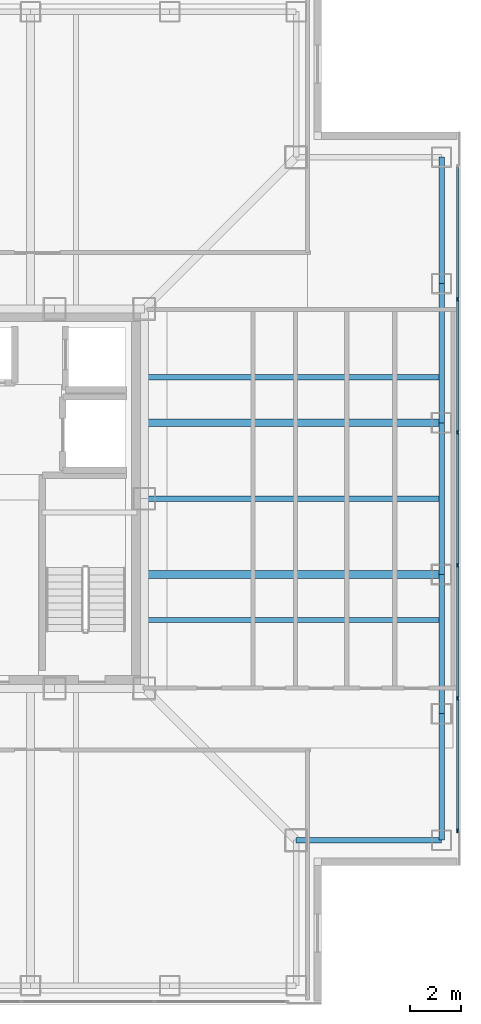
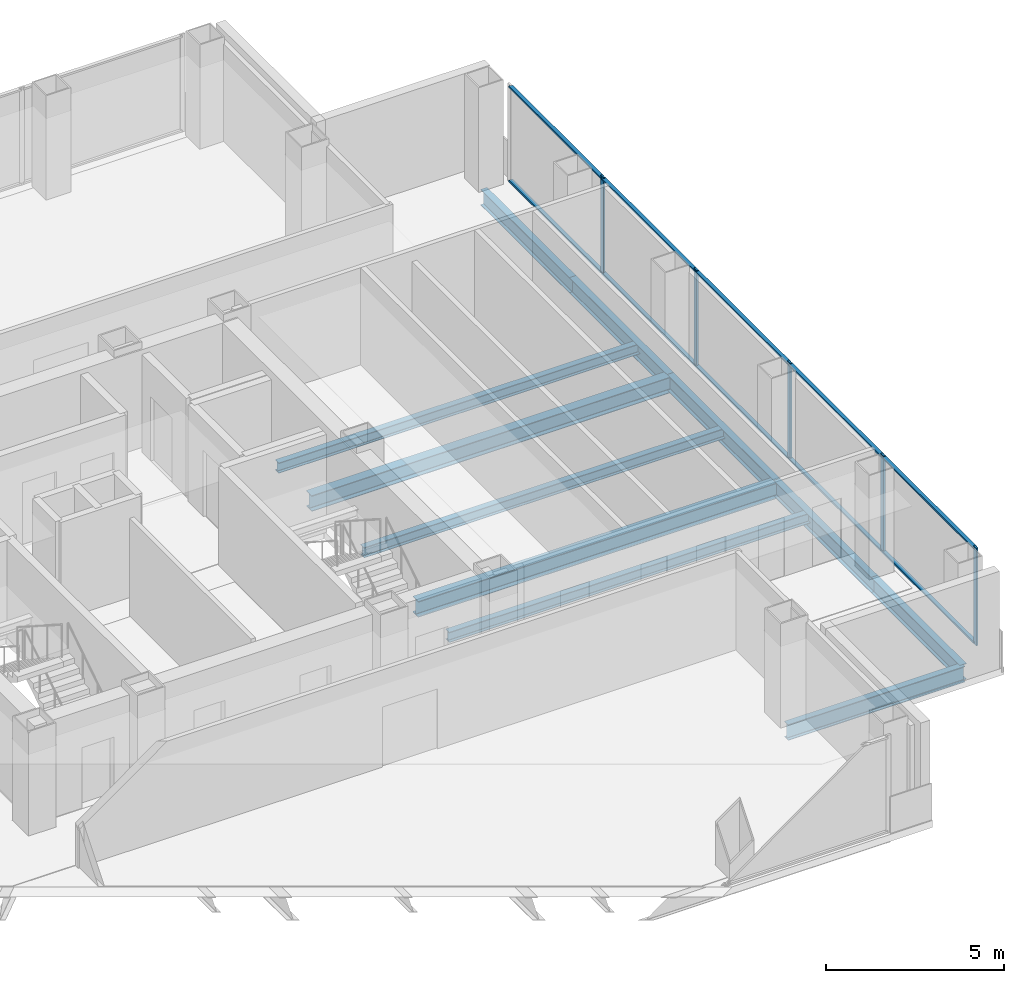
# One storey, part 6 of 17: 15 members, 11 beams, 1 element without a shape of its own.
"""IFC4 building model written with IfcOpenShell, lengths in metres."""

from ifc_helpers import new_model, si_unit, direction, frame, origin, origin_2d, place, context, subcontext, project, spatial, rectangle, i_section, extrude, material, layer, layer_set, material_profile, profile_set, type_object, element, aggregate, save


model = new_model("IFC4")

# Units and contexts
model_context = context("Model", 3, precision=1e-05, world=origin(), true_north=direction((0.0, 1.0)))
body_context = subcontext(model_context, "Body", "Model", "MODEL_VIEW")
ifc_project = project(units=[si_unit("LENGTHUNIT", "METRE"), si_unit("AREAUNIT", "SQUARE_METRE"), si_unit("VOLUMEUNIT", "CUBIC_METRE"), si_unit("PLANEANGLEUNIT", "RADIAN"), si_unit("MASSUNIT", "GRAM", prefix="KILO")], contexts=[model_context])

# Site, building, storey
site_placement = place(None, origin())
site = spatial("IfcSite", under=ifc_project, at=site_placement, CompositionType="ELEMENT")
building_placement = place(site_placement, origin())
building = spatial("IfcBuilding", under=site, at=building_placement, Name="Trevonay Congress Spire", CompositionType="ELEMENT")
storey_placement = place(building_placement, frame((0.0, 0.0, 209.39990234375)))
storey = spatial("IfcBuildingStorey", under=building, at=storey_placement, Name="L54", CompositionType="ELEMENT", Elevation=209.39990234375)

# Beams
ifc_material_1 = material(Name="Steel ASTM A572 Grade 50", Category="steel")
ifc_material_profile_1 = material_profile(ifc_material_1, i_section(OverallWidth=0.31201171875, OverallDepth=0.54296875, WebThickness=0.0126953125, FlangeThickness=0.020263671875, FilletRadius=0.014892578125, at=origin_2d()), Name="W530x150")
ifc_profile_set_1 = profile_set([ifc_material_profile_1], Name="Steel ASTM A572 Grade 50")
beam_type_1 = type_object("IfcBeamType", Name="BM-GIRD-W530X150", PredefinedType="BEAM", material=ifc_profile_set_1)
for number, where, z_axis, x_axis, name in (
    (1, (7.5, -3.0, -0.511474609375), (1.0, 0.0, 0.0), (0.0, 1.0, 0.0), "L54 structural beam BM-L54-GE-M"),
    (2, (7.5, 3.0, -0.511474609375), (1.0, 0.0, 0.0), (0.0, 1.0, 0.0), "L54 structural beam BM-L54-GE-P"),
):
    element("IfcBeam", number, at=place(storey_placement, frame(where, z_axis=z_axis, x_axis=x_axis)), inside=storey, type_object=beam_type_1, Name=name, PredefinedType="BEAM", context=body_context, shape_type="SweptSolid", body=[
        extrude(i_section(OverallWidth=0.31201171875, OverallDepth=0.54296875, WebThickness=0.0126953125, FlangeThickness=0.020263671875, FilletRadius=0.014892578125, at=origin_2d()), origin(), (0.0, 0.0, 1.0), 11.75),
    ])
ifc_material_profile_2 = material_profile(ifc_material_1, i_section(OverallWidth=0.2119140625, OverallDepth=0.5439453125, WebThickness=0.01318359375, FlangeThickness=0.021240234375, FilletRadius=0.014892578125, at=origin_2d()), Name="W530x123")
ifc_profile_set_2 = profile_set([ifc_material_profile_2], Name="Steel ASTM A572 Grade 50")
beam_type_2 = type_object("IfcBeamType", Name="BM-RING-W530X123", PredefinedType="BEAM", material=ifc_profile_set_2)
beam_1_placement = place(storey_placement, frame((19.25, -13.5, -0.511962890625), z_axis=(0.0, 1.0, 0.0), x_axis=(-1.0, 0.0, 0.0)))
element("IfcBeam", 3, at=beam_1_placement, inside=storey, type_object=beam_type_2, Name="L54 structural beam BM-L54-PE1", PredefinedType="BEAM", context=body_context, shape_type="SweptSolid", body=[
    extrude(i_section(OverallWidth=0.2119140625, OverallDepth=0.5439453125, WebThickness=0.01318359375, FlangeThickness=0.021240234375, FilletRadius=0.014892578125, at=origin_2d()), origin(), (0.0, 0.0, 1.0), 5.0),
])
beam_2_placement = place(storey_placement, frame((19.25, -8.5, -0.511962890625), z_axis=(0.0, 1.0, 0.0), x_axis=(-1.0, 0.0, 0.0)))
element("IfcBeam", 4, at=beam_2_placement, inside=storey, type_object=beam_type_2, Name="L54 structural beam BM-L54-PE2", PredefinedType="BEAM", context=body_context, shape_type="SweptSolid", body=[
    extrude(i_section(OverallWidth=0.2119140625, OverallDepth=0.5439453125, WebThickness=0.01318359375, FlangeThickness=0.021240234375, FilletRadius=0.014892578125, at=origin_2d()), origin(), (0.0, 0.0, 1.0), 5.5),
])
beam_3_placement = place(storey_placement, frame((19.25, -3.0, -0.511962890625), z_axis=(0.0, 1.0, 0.0), x_axis=(-1.0, 0.0, 0.0)))
element("IfcBeam", 5, at=beam_3_placement, inside=storey, type_object=beam_type_2, Name="L54 structural beam BM-L54-PE3", PredefinedType="BEAM", context=body_context, shape_type="SweptSolid", body=[
    extrude(i_section(OverallWidth=0.2119140625, OverallDepth=0.5439453125, WebThickness=0.01318359375, FlangeThickness=0.021240234375, FilletRadius=0.014892578125, at=origin_2d()), origin(), (0.0, 0.0, 1.0), 6.0),
])
beam_4_placement = place(storey_placement, frame((19.25, 3.0, -0.511962890625), z_axis=(0.0, 1.0, 0.0), x_axis=(-1.0, 0.0, 0.0)))
element("IfcBeam", 6, at=beam_4_placement, inside=storey, type_object=beam_type_2, Name="L54 structural beam BM-L54-PE4", PredefinedType="BEAM", context=body_context, shape_type="SweptSolid", body=[
    extrude(i_section(OverallWidth=0.2119140625, OverallDepth=0.5439453125, WebThickness=0.01318359375, FlangeThickness=0.021240234375, FilletRadius=0.014892578125, at=origin_2d()), origin(), (0.0, 0.0, 1.0), 5.5),
])
beam_5_placement = place(storey_placement, frame((19.25, 8.5, -0.511962890625), z_axis=(0.0, 1.0, 0.0), x_axis=(-1.0, 0.0, 0.0)))
element("IfcBeam", 7, at=beam_5_placement, inside=storey, type_object=beam_type_2, Name="L54 structural beam BM-L54-PE5", PredefinedType="BEAM", context=body_context, shape_type="SweptSolid", body=[
    extrude(i_section(OverallWidth=0.2119140625, OverallDepth=0.5439453125, WebThickness=0.01318359375, FlangeThickness=0.021240234375, FilletRadius=0.014892578125, at=origin_2d()), origin(), (0.0, 0.0, 1.0), 5.0),
])
beam_6_placement = place(storey_placement, frame((19.25, -13.5, -0.511962890625), z_axis=(-1.0, 0.0, 0.0), x_axis=(0.0, -1.0, 0.0)))
element("IfcBeam", 8, at=beam_6_placement, inside=storey, type_object=beam_type_2, Name="L54 structural beam BM-L54-N2SE", PredefinedType="BEAM", context=body_context, shape_type="SweptSolid", body=[
    extrude(i_section(OverallWidth=0.2119140625, OverallDepth=0.5439453125, WebThickness=0.01318359375, FlangeThickness=0.021240234375, FilletRadius=0.014892578125, at=origin_2d()), origin(), (0.0, 0.0, 1.0), 5.75),
])

# Curtain wall, members
ifc_material_2 = material(Name="Pale Anodised Aluminium EN AW-6063-T6", Category="aluminium")
ifc_layer = layer(ifc_material_2, 0.169921875, Name="Pale Anodised Aluminium EN AW-6063-T6")
ifc_layer_set = layer_set([ifc_layer], Name="Pale Anodised Aluminium EN AW-6063-T6")
curtain_wall_type = type_object("IfcCurtainWallType", Name="CW-SYS04-CORP-PALE-METAL", PredefinedType="NOTDEFINED", material=ifc_layer_set)
curtain_wall_placement = place(storey_placement, origin())
curtain_wall = element("IfcCurtainWall", 9, at=curtain_wall_placement, inside=storey, type_object=curtain_wall_type, Name="L54 E unitised curtain wall", PredefinedType="NOTDEFINED")
ifc_material_profile_3 = material_profile(ifc_material_2, rectangle(XDim=0.06005859375, YDim=0.159912109375, at=origin_2d()), Name="CW-MULLION-160-ALUMINIUM")
ifc_profile_set_3 = profile_set([ifc_material_profile_3], Name="Pale Anodised Aluminium EN AW-6063-T6")
member_type_1 = type_object("IfcMemberType", Name="CW-MULLION-160-ALUMINIUM", PredefinedType="MULLION", material=ifc_profile_set_3)
member_1_placement = place(storey_placement, frame((19.8798828125, -13.1201171875, 0.0), z_axis=(0.0, 0.0, 1.0), x_axis=(-1.0, 0.0, 0.0)))
member_1 = element("IfcMember", 10, at=member_1_placement, type_object=member_type_1, Name="CW04 mullion 1", PredefinedType="MULLION", context=body_context, shape_type="SweptSolid", body=[
    extrude(rectangle(XDim=0.06005859375, YDim=0.159912109375, at=origin_2d()), origin(), (0.0, 0.0, 1.0), 3.360107421875),
])
member_2_placement = place(storey_placement, frame((19.8798828125, -7.889892578125, 0.0), z_axis=(0.0, 0.0, 1.0), x_axis=(-1.0, 0.0, 0.0)))
member_2 = element("IfcMember", 11, at=member_2_placement, type_object=member_type_1, Name="CW04 mullion 2", PredefinedType="MULLION", context=body_context, shape_type="SweptSolid", body=[
    extrude(rectangle(XDim=0.06005859375, YDim=0.159912109375, at=origin_2d()), origin(), (0.0, 0.0, 1.0), 3.360107421875),
])
member_3_placement = place(storey_placement, frame((19.8798828125, -2.6298828125, 0.0), z_axis=(0.0, 0.0, 1.0), x_axis=(-1.0, 0.0, 0.0)))
member_3 = element("IfcMember", 12, at=member_3_placement, type_object=member_type_1, Name="CW04 mullion 3", PredefinedType="MULLION", context=body_context, shape_type="SweptSolid", body=[
    extrude(rectangle(XDim=0.06005859375, YDim=0.159912109375, at=origin_2d()), origin(), (0.0, 0.0, 1.0), 3.360107421875),
])
member_4_placement = place(storey_placement, frame((19.8798828125, 2.6298828125, 0.0), z_axis=(0.0, 0.0, 1.0), x_axis=(-1.0, 0.0, 0.0)))
member_4 = element("IfcMember", 13, at=member_4_placement, type_object=member_type_1, Name="CW04 mullion 4", PredefinedType="MULLION", context=body_context, shape_type="SweptSolid", body=[
    extrude(rectangle(XDim=0.06005859375, YDim=0.159912109375, at=origin_2d()), origin(), (0.0, 0.0, 1.0), 3.360107421875),
])
member_5_placement = place(storey_placement, frame((19.8798828125, 7.889892578125, 0.0), z_axis=(0.0, 0.0, 1.0), x_axis=(-1.0, 0.0, 0.0)))
member_5 = element("IfcMember", 14, at=member_5_placement, type_object=member_type_1, Name="CW04 mullion 5", PredefinedType="MULLION", context=body_context, shape_type="SweptSolid", body=[
    extrude(rectangle(XDim=0.06005859375, YDim=0.159912109375, at=origin_2d()), origin(), (0.0, 0.0, 1.0), 3.360107421875),
])
ifc_material_profile_4 = material_profile(ifc_material_2, rectangle(XDim=0.1201171875, YDim=0.06005859375, at=origin_2d()), Name="CW-TRANSOM-120-ALUMINIUM")
ifc_profile_set_4 = profile_set([ifc_material_profile_4], Name="Pale Anodised Aluminium EN AW-6063-T6")
member_type_2 = type_object("IfcMemberType", Name="CW-TRANSOM-120-ALUMINIUM", PredefinedType="USERDEFINED", material=ifc_profile_set_4)
member_6_placement = place(storey_placement, frame((19.8798828125, -13.090087890625, 0.06005859375), z_axis=(0.0, 1.0, 0.0), x_axis=(-1.0, 0.0, 0.0)))
member_6 = element("IfcMember", 15, at=member_6_placement, type_object=member_type_2, Name="CW04 transom 1.1", ObjectType="TRANSOM", PredefinedType="USERDEFINED", context=body_context, shape_type="SweptSolid", body=[
    extrude(rectangle(XDim=0.1201171875, YDim=0.06005859375, at=origin_2d()), origin(), (0.0, 0.0, 1.0), 5.170166015625),
])
member_7_placement = place(storey_placement, frame((19.8798828125, -13.090087890625, 3.300048828125), z_axis=(0.0, 1.0, 0.0), x_axis=(-1.0, 0.0, 0.0)))
member_7 = element("IfcMember", 16, at=member_7_placement, type_object=member_type_2, Name="CW04 transom 1.2", ObjectType="TRANSOM", PredefinedType="USERDEFINED", context=body_context, shape_type="SweptSolid", body=[
    extrude(rectangle(XDim=0.1201171875, YDim=0.06005859375, at=origin_2d()), origin(), (0.0, 0.0, 1.0), 5.170166015625),
])
member_8_placement = place(storey_placement, frame((19.8798828125, -7.860107421875, 0.06005859375), z_axis=(0.0, 1.0, 0.0), x_axis=(-1.0, 0.0, 0.0)))
member_8 = element("IfcMember", 17, at=member_8_placement, type_object=member_type_2, Name="CW04 transom 2.1", ObjectType="TRANSOM", PredefinedType="USERDEFINED", context=body_context, shape_type="SweptSolid", body=[
    extrude(rectangle(XDim=0.1201171875, YDim=0.06005859375, at=origin_2d()), origin(), (0.0, 0.0, 1.0), 5.2001953125),
])
member_9_placement = place(storey_placement, frame((19.8798828125, -7.860107421875, 3.300048828125), z_axis=(0.0, 1.0, 0.0), x_axis=(-1.0, 0.0, 0.0)))
member_9 = element("IfcMember", 18, at=member_9_placement, type_object=member_type_2, Name="CW04 transom 2.2", ObjectType="TRANSOM", PredefinedType="USERDEFINED", context=body_context, shape_type="SweptSolid", body=[
    extrude(rectangle(XDim=0.1201171875, YDim=0.06005859375, at=origin_2d()), origin(), (0.0, 0.0, 1.0), 5.2001953125),
])
member_10_placement = place(storey_placement, frame((19.8798828125, -2.60009765625, 0.06005859375), z_axis=(0.0, 1.0, 0.0), x_axis=(-1.0, 0.0, 0.0)))
member_10 = element("IfcMember", 19, at=member_10_placement, type_object=member_type_2, Name="CW04 transom 3.1", ObjectType="TRANSOM", PredefinedType="USERDEFINED", context=body_context, shape_type="SweptSolid", body=[
    extrude(rectangle(XDim=0.1201171875, YDim=0.06005859375, at=origin_2d()), origin(), (0.0, 0.0, 1.0), 5.2001953125),
])
member_11_placement = place(storey_placement, frame((19.8798828125, -2.60009765625, 3.300048828125), z_axis=(0.0, 1.0, 0.0), x_axis=(-1.0, 0.0, 0.0)))
member_11 = element("IfcMember", 20, at=member_11_placement, type_object=member_type_2, Name="CW04 transom 3.2", ObjectType="TRANSOM", PredefinedType="USERDEFINED", context=body_context, shape_type="SweptSolid", body=[
    extrude(rectangle(XDim=0.1201171875, YDim=0.06005859375, at=origin_2d()), origin(), (0.0, 0.0, 1.0), 5.2001953125),
])
member_12_placement = place(storey_placement, frame((19.8798828125, 2.659912109375, 0.06005859375), z_axis=(0.0, 1.0, 0.0), x_axis=(-1.0, 0.0, 0.0)))
member_12 = element("IfcMember", 21, at=member_12_placement, type_object=member_type_2, Name="CW04 transom 4.1", ObjectType="TRANSOM", PredefinedType="USERDEFINED", context=body_context, shape_type="SweptSolid", body=[
    extrude(rectangle(XDim=0.1201171875, YDim=0.06005859375, at=origin_2d()), origin(), (0.0, 0.0, 1.0), 5.2001953125),
])
member_13_placement = place(storey_placement, frame((19.8798828125, 2.659912109375, 3.300048828125), z_axis=(0.0, 1.0, 0.0), x_axis=(-1.0, 0.0, 0.0)))
member_13 = element("IfcMember", 22, at=member_13_placement, type_object=member_type_2, Name="CW04 transom 4.2", ObjectType="TRANSOM", PredefinedType="USERDEFINED", context=body_context, shape_type="SweptSolid", body=[
    extrude(rectangle(XDim=0.1201171875, YDim=0.06005859375, at=origin_2d()), origin(), (0.0, 0.0, 1.0), 5.2001953125),
])
member_14_placement = place(storey_placement, frame((19.8798828125, 7.919921875, 0.06005859375), z_axis=(0.0, 1.0, 0.0), x_axis=(-1.0, 0.0, 0.0)))
member_14 = element("IfcMember", 23, at=member_14_placement, type_object=member_type_2, Name="CW04 transom 5.1", ObjectType="TRANSOM", PredefinedType="USERDEFINED", context=body_context, shape_type="SweptSolid", body=[
    extrude(rectangle(XDim=0.1201171875, YDim=0.06005859375, at=origin_2d()), origin(), (0.0, 0.0, 1.0), 5.170166015625),
])
member_15_placement = place(storey_placement, frame((19.8798828125, 7.919921875, 3.300048828125), z_axis=(0.0, 1.0, 0.0), x_axis=(-1.0, 0.0, 0.0)))
member_15 = element("IfcMember", 24, at=member_15_placement, type_object=member_type_2, Name="CW04 transom 5.2", ObjectType="TRANSOM", PredefinedType="USERDEFINED", context=body_context, shape_type="SweptSolid", body=[
    extrude(rectangle(XDim=0.1201171875, YDim=0.06005859375, at=origin_2d()), origin(), (0.0, 0.0, 1.0), 5.170166015625),
])
aggregate(curtain_wall, [member_1, member_2, member_3, member_4, member_5, member_6, member_7, member_8, member_9, member_10, member_11, member_12, member_13, member_14, member_15])

# Beams
ifc_material_profile_5 = material_profile(ifc_material_1, i_section(OverallWidth=0.205078125, OverallDepth=0.35400390625, WebThickness=0.009521484375, FlangeThickness=0.016845703125, FilletRadius=0.011962890625, at=origin_2d()), Name="W360x79")
ifc_profile_set_5 = profile_set([ifc_material_profile_5], Name="Steel ASTM A572 Grade 50")
beam_type_3 = type_object("IfcBeamType", Name="JS-COMP-W360X79", PredefinedType="JOIST", material=ifc_profile_set_5)
for number, where, z_axis, x_axis, name in (
    (25, (7.5, -4.800048828125, -0.4169921875), (1.0, 0.0, 0.0), (0.0, 1.0, 0.0), "L54 structural beam JS-L54-EW-E1"),
    (26, (7.5, 0.0, -0.4169921875), (1.0, 0.0, 0.0), (0.0, 1.0, 0.0), "L54 structural beam JS-L54-EW-E2"),
    (27, (7.5, 4.800048828125, -0.4169921875), (1.0, 0.0, 0.0), (0.0, 1.0, 0.0), "L54 structural beam JS-L54-EW-E3"),
):
    element("IfcBeam", number, at=place(storey_placement, frame(where, z_axis=z_axis, x_axis=x_axis)), inside=storey, type_object=beam_type_3, Name=name, PredefinedType="JOIST", context=body_context, shape_type="SweptSolid", body=[
        extrude(i_section(OverallWidth=0.205078125, OverallDepth=0.35400390625, WebThickness=0.009521484375, FlangeThickness=0.016845703125, FilletRadius=0.011962890625, at=origin_2d()), origin(), (0.0, 0.0, 1.0), 11.75),
    ])

save(model, "model.ifc")
